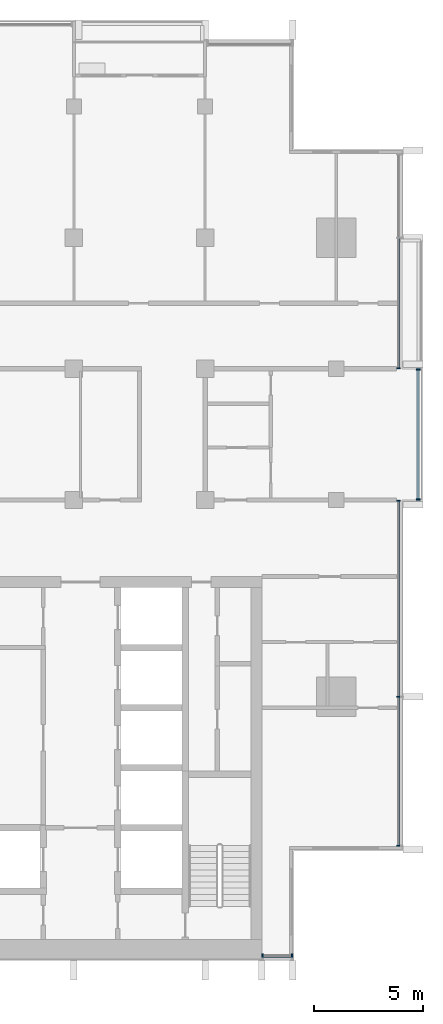
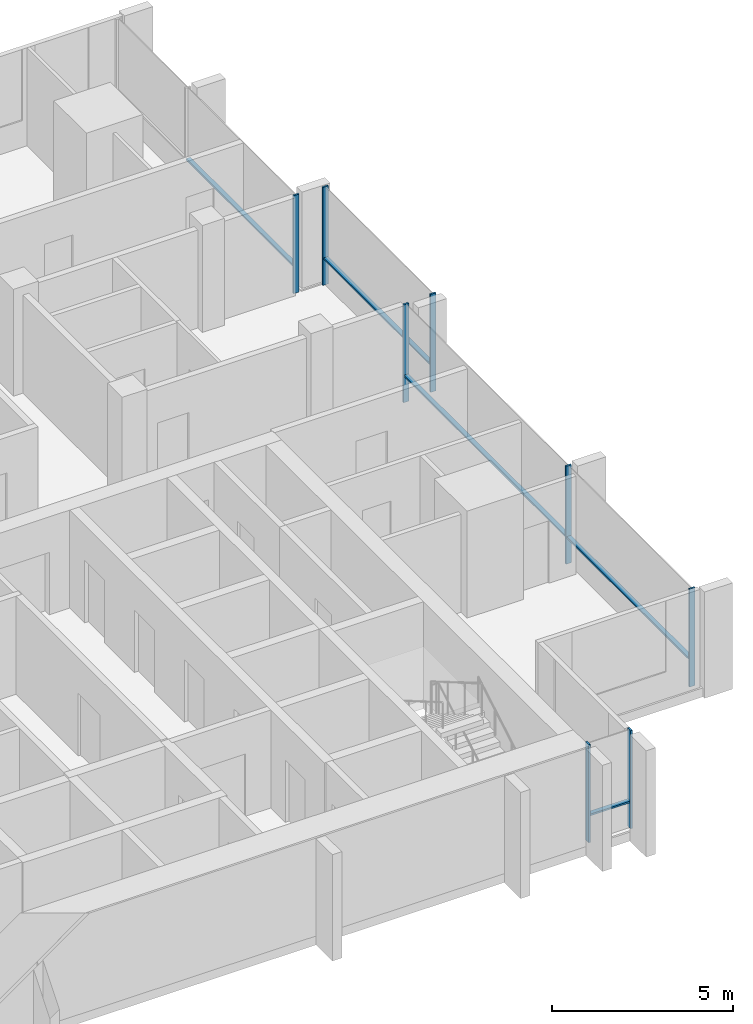
# One storey, part 3 of 15: 13 members, 4 elements without a shape of their own.
"""IFC4 building model written with IfcOpenShell, lengths in metres."""

from ifc_helpers import new_model, si_unit, direction, frame, origin, origin_2d, place, context, subcontext, project, spatial, rectangle, extrude, material, material_profile, profile_set, type_object, element, aggregate, save


model = new_model("IFC4")

# Units and contexts
model_context = context("Model", 3, precision=1e-05, world=origin(), true_north=direction((0.0, 1.0)))
body_context = subcontext(model_context, "Body", "Model", "MODEL_VIEW")
ifc_project = project(units=[si_unit("LENGTHUNIT", "METRE"), si_unit("AREAUNIT", "SQUARE_METRE"), si_unit("VOLUMEUNIT", "CUBIC_METRE"), si_unit("PLANEANGLEUNIT", "RADIAN"), si_unit("MASSUNIT", "GRAM", prefix="KILO")], contexts=[model_context])

# Site, building, storey
site_placement = place(None, origin())
site = spatial("IfcSite", under=ifc_project, at=site_placement, CompositionType="ELEMENT")
building_placement = place(site_placement, origin())
building = spatial("IfcBuilding", under=site, at=building_placement, Name="Finial Court Residences", CompositionType="ELEMENT")
storey_placement = place(building_placement, frame((0.0, 0.0, 273.5)))
storey = spatial("IfcBuildingStorey", under=building, at=storey_placement, Name="L69", CompositionType="ELEMENT", Elevation=273.5)

# Curtain wall, members
ifc_material = material(Name="Bronze anodised aluminium", Category="aluminium")
curtain_wall_type = type_object("IfcCurtainWallType", Name="Unitised curtain wall, upper zones", PredefinedType="NOTDEFINED", material=ifc_material)
curtain_wall_1_placement = place(storey_placement, origin())
curtain_wall_1 = element("IfcCurtainWall", 1, at=curtain_wall_1_placement, inside=storey, type_object=curtain_wall_type, Name="E-L69-CW-E4", PredefinedType="NOTDEFINED")
ifc_material_profile_1 = material_profile(ifc_material, rectangle(XDim=0.175048828125, YDim=0.06005859375, at=origin_2d()), Name="CW2 mullion 60 x 175")
ifc_profile_set_1 = profile_set([ifc_material_profile_1], Name="Bronze anodised aluminium")
member_type_1 = type_object("IfcMemberType", Name="CW2 mullion 60 x 175", PredefinedType="MULLION", material=ifc_profile_set_1)
member_1_placement = place(storey_placement, frame((19.35009765625, -20.320068359375, 0.0), z_axis=(0.0, 0.0, 1.0), x_axis=(-1.0, 0.0, 0.0)))
member_1 = element("IfcMember", 2, at=member_1_placement, type_object=member_type_1, Name="CW2 mullion 1", PredefinedType="MULLION", context=body_context, shape_type="SweptSolid", body=[
    extrude(rectangle(XDim=0.175048828125, YDim=0.06005859375, at=origin_2d()), origin(), (0.0, 0.0, 1.0), 3.300048828125),
])
member_2_placement = place(storey_placement, frame((19.35009765625, -13.5, 0.0), z_axis=(0.0, 0.0, 1.0), x_axis=(-1.0, 0.0, 0.0)))
member_2 = element("IfcMember", 3, at=member_2_placement, type_object=member_type_1, Name="CW2 mullion 2", PredefinedType="MULLION", context=body_context, shape_type="SweptSolid", body=[
    extrude(rectangle(XDim=0.175048828125, YDim=0.06005859375, at=origin_2d()), origin(), (0.0, 0.0, 1.0), 3.300048828125),
])
member_3_placement = place(storey_placement, frame((19.35009765625, -4.530029296875, 0.0), z_axis=(0.0, 0.0, 1.0), x_axis=(-1.0, 0.0, 0.0)))
member_3 = element("IfcMember", 4, at=member_3_placement, type_object=member_type_1, Name="CW2 mullion 3", PredefinedType="MULLION", context=body_context, shape_type="SweptSolid", body=[
    extrude(rectangle(XDim=0.175048828125, YDim=0.06005859375, at=origin_2d()), origin(), (0.0, 0.0, 1.0), 3.300048828125),
])

curtain_wall_2_placement = place(storey_placement, origin())
curtain_wall_2 = element("IfcCurtainWall", 5, at=curtain_wall_2_placement, inside=storey, type_object=curtain_wall_type, Name="E-L69-CW-E5", PredefinedType="NOTDEFINED")
member_4_placement = place(storey_placement, frame((20.25, -4.469970703125, 0.0), z_axis=(0.0, 0.0, 1.0), x_axis=(-1.0, 0.0, 0.0)))
member_4 = element("IfcMember", 6, at=member_4_placement, type_object=member_type_1, Name="CW2 mullion 1", PredefinedType="MULLION", context=body_context, shape_type="SweptSolid", body=[
    extrude(rectangle(XDim=0.175048828125, YDim=0.06005859375, at=origin_2d()), origin(), (0.0, 0.0, 1.0), 3.300048828125),
])
member_5_placement = place(storey_placement, frame((20.25, 1.469970703125, 0.0), z_axis=(0.0, 0.0, 1.0), x_axis=(-1.0, 0.0, 0.0)))
member_5 = element("IfcMember", 7, at=member_5_placement, type_object=member_type_1, Name="CW2 mullion 2", PredefinedType="MULLION", context=body_context, shape_type="SweptSolid", body=[
    extrude(rectangle(XDim=0.175048828125, YDim=0.06005859375, at=origin_2d()), origin(), (0.0, 0.0, 1.0), 3.300048828125),
])

# Curtain wall, member
curtain_wall_3_placement = place(storey_placement, origin())
curtain_wall_3 = element("IfcCurtainWall", 8, at=curtain_wall_3_placement, inside=storey, type_object=curtain_wall_type, Name="E-L69-CW-E6", PredefinedType="NOTDEFINED")
member_6_placement = place(storey_placement, frame((19.35009765625, 1.530029296875, 0.0), z_axis=(0.0, 0.0, 1.0), x_axis=(-1.0, 0.0, 0.0)))
member_6 = element("IfcMember", 9, at=member_6_placement, type_object=member_type_1, Name="CW2 mullion 1", PredefinedType="MULLION", context=body_context, shape_type="SweptSolid", body=[
    extrude(rectangle(XDim=0.175048828125, YDim=0.06005859375, at=origin_2d()), origin(), (0.0, 0.0, 1.0), 3.300048828125),
])

# Curtain wall, members
curtain_wall_4_placement = place(storey_placement, origin())
curtain_wall_4 = element("IfcCurtainWall", 10, at=curtain_wall_4_placement, inside=storey, type_object=curtain_wall_type, Name="E-L69-CW-S8", PredefinedType="NOTDEFINED")
member_7_placement = place(storey_placement, frame((13.1298828125, -25.35009765625, 0.0), z_axis=(0.0, 0.0, 1.0), x_axis=(0.0, 1.0, 0.0)))
member_7 = element("IfcMember", 11, at=member_7_placement, type_object=member_type_1, Name="CW2 mullion 1", PredefinedType="MULLION", context=body_context, shape_type="SweptSolid", body=[
    extrude(rectangle(XDim=0.175048828125, YDim=0.06005859375, at=origin_2d()), origin(), (0.0, 0.0, 1.0), 3.300048828125),
])
member_8_placement = place(storey_placement, frame((14.469970703125, -25.35009765625, 0.0), z_axis=(0.0, 0.0, 1.0), x_axis=(0.0, 1.0, 0.0)))
member_8 = element("IfcMember", 12, at=member_8_placement, type_object=member_type_1, Name="CW2 mullion 2", PredefinedType="MULLION", context=body_context, shape_type="SweptSolid", body=[
    extrude(rectangle(XDim=0.175048828125, YDim=0.06005859375, at=origin_2d()), origin(), (0.0, 0.0, 1.0), 3.300048828125),
])

# Member
ifc_material_profile_2 = material_profile(ifc_material, rectangle(XDim=0.139892578125, YDim=0.06005859375, at=origin_2d()), Name="CW2 transom 60 x 140")
ifc_profile_set_2 = profile_set([ifc_material_profile_2], Name="Bronze anodised aluminium")
member_type_2 = type_object("IfcMemberType", Name="CW2 transom 60 x 140", PredefinedType="USERDEFINED", material=ifc_profile_set_2)
member_9_placement = place(storey_placement, frame((19.35009765625, -20.2900390625, 0.89990234375), z_axis=(0.0, 1.0, 0.0), x_axis=(-1.0, 0.0, 0.0)))
member_9 = element("IfcMember", 13, at=member_9_placement, type_object=member_type_2, Name="CW2 transom 1.1", ObjectType="TRANSOM", PredefinedType="USERDEFINED", context=body_context, shape_type="SweptSolid", body=[
    extrude(rectangle(XDim=0.139892578125, YDim=0.06005859375, at=origin_2d()), origin(), (0.0, 0.0, 1.0), 6.760009765625),
])

member_10_placement = place(storey_placement, frame((19.35009765625, -13.469970703125, 0.89990234375), z_axis=(0.0, 1.0, 0.0), x_axis=(-1.0, 0.0, 0.0)))
member_10 = element("IfcMember", 14, at=member_10_placement, type_object=member_type_2, Name="CW2 transom 2.1", ObjectType="TRANSOM", PredefinedType="USERDEFINED", context=body_context, shape_type="SweptSolid", body=[
    extrude(rectangle(XDim=0.139892578125, YDim=0.06005859375, at=origin_2d()), origin(), (0.0, 0.0, 1.0), 8.909912109375),
])

aggregate(curtain_wall_1, [member_1, member_2, member_3, member_9, member_10])

member_11_placement = place(storey_placement, frame((20.25, -4.43994140625, 0.89990234375), z_axis=(0.0, 1.0, 0.0), x_axis=(-1.0, 0.0, 0.0)))
member_11 = element("IfcMember", 15, at=member_11_placement, type_object=member_type_2, Name="CW2 transom 1.1", ObjectType="TRANSOM", PredefinedType="USERDEFINED", context=body_context, shape_type="SweptSolid", body=[
    extrude(rectangle(XDim=0.139892578125, YDim=0.06005859375, at=origin_2d()), origin(), (0.0, 0.0, 1.0), 5.8798828125),
])

aggregate(curtain_wall_2, [member_4, member_5, member_11])

member_12_placement = place(storey_placement, frame((19.35009765625, 1.56005859375, 0.89990234375), z_axis=(0.0, 1.0, 0.0), x_axis=(-1.0, 0.0, 0.0)))
member_12 = element("IfcMember", 16, at=member_12_placement, type_object=member_type_2, Name="CW2 transom 1.1", ObjectType="TRANSOM", PredefinedType="USERDEFINED", context=body_context, shape_type="SweptSolid", body=[
    extrude(rectangle(XDim=0.139892578125, YDim=0.06005859375, at=origin_2d()), origin(), (0.0, 0.0, 1.0), 5.909912109375),
])

aggregate(curtain_wall_3, [member_6, member_12])

member_13_placement = place(storey_placement, frame((13.159912109375, -25.35009765625, 0.89990234375), z_axis=(1.0, 0.0, 0.0), x_axis=(0.0, 1.0, 0.0)))
member_13 = element("IfcMember", 17, at=member_13_placement, type_object=member_type_2, Name="CW2 transom 1.1", ObjectType="TRANSOM", PredefinedType="USERDEFINED", context=body_context, shape_type="SweptSolid", body=[
    extrude(rectangle(XDim=0.139892578125, YDim=0.06005859375, at=origin_2d()), origin(), (0.0, 0.0, 1.0), 1.280029296875),
])

aggregate(curtain_wall_4, [member_7, member_8, member_13])

save(model, "model.ifc")
